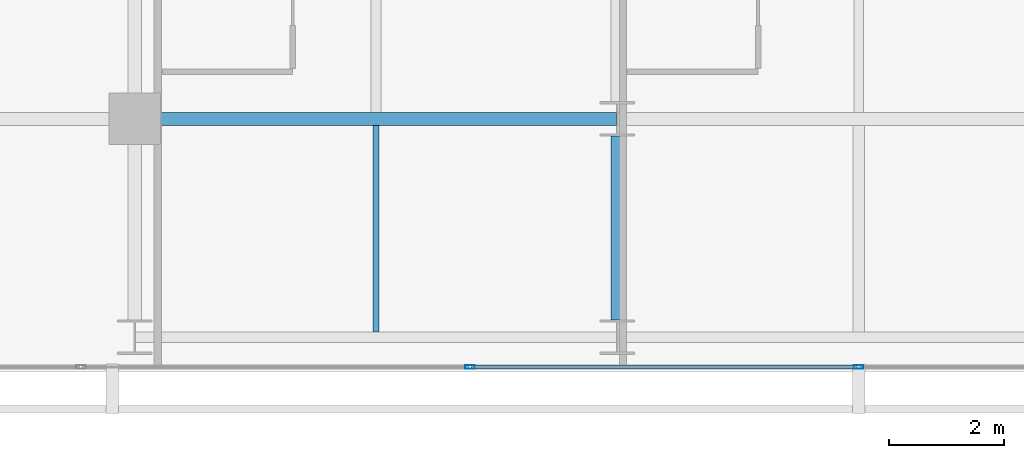
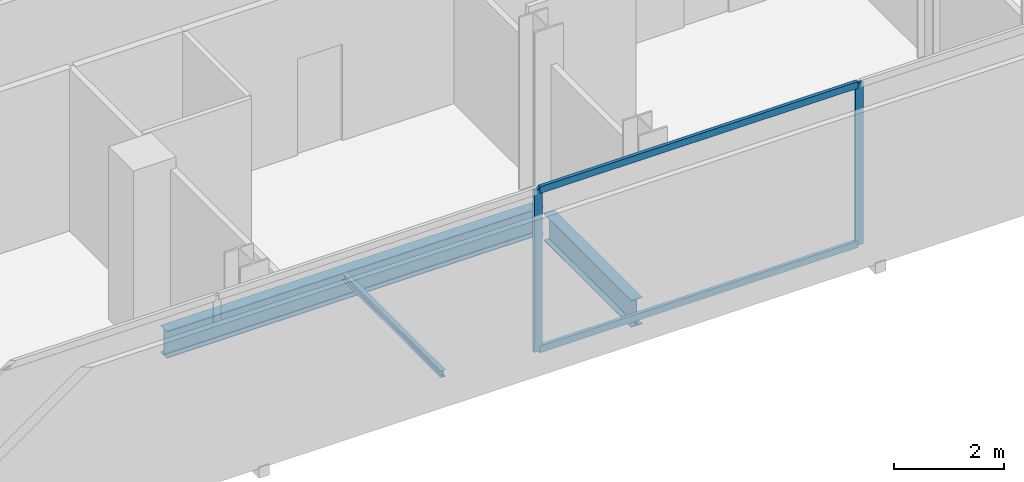
# One storey, part 6 of 34: 4 members, 3 beams, 1 element without a shape of its own.
"""IFC4 building model written with IfcOpenShell, lengths in metres."""

from ifc_helpers import new_model, si_unit, direction, frame, origin, origin_2d, place, context, subcontext, project, spatial, hollow_rectangle, i_section, extrude, material, layer, layer_set, material_profile, profile_set, type_object, element, aggregate, save


model = new_model("IFC4")

# Units and contexts
model_context = context("Model", 3, precision=1e-05, world=origin(), true_north=direction((0.0, 1.0)))
body_context = subcontext(model_context, "Body", "Model", "MODEL_VIEW")
ifc_project = project(units=[si_unit("LENGTHUNIT", "METRE"), si_unit("AREAUNIT", "SQUARE_METRE"), si_unit("VOLUMEUNIT", "CUBIC_METRE"), si_unit("PLANEANGLEUNIT", "RADIAN"), si_unit("MASSUNIT", "GRAM", prefix="KILO")], contexts=[model_context])

# Site, building, storey
site_placement = place(None, origin())
site = spatial("IfcSite", under=ifc_project, at=site_placement, CompositionType="ELEMENT")
building_placement = place(site_placement, origin())
building = spatial("IfcBuilding", under=site, at=building_placement, Name="Maruvema Waterfront Hotel and Observation Tower", CompositionType="ELEMENT")
storey_placement = place(building_placement, frame((0.0, 0.0, 181.300048828125)))
storey = spatial("IfcBuildingStorey", under=building, at=storey_placement, Name="L44", CompositionType="ELEMENT", Elevation=181.300048828125)

# Curtain wall, members
ifc_material_1 = material(Name="Anodised bronze aluminium and solar-control low-E IGU", Category="aluminium")
ifc_layer = layer(ifc_material_1, 0.159912109375, Name="Zone 2 Amber Inner Thermal Curtain Wall System CW-03")
ifc_layer_set = layer_set([ifc_layer], Name="Anodised bronze aluminium and solar-control low-E IGU")
curtain_wall_type = type_object("IfcCurtainWallType", Name="Zone 2 Amber Inner Thermal Curtain Wall System CW-03", PredefinedType="USERDEFINED", material=ifc_layer_set)
curtain_wall_placement = place(storey_placement, origin())
curtain_wall = element("IfcCurtainWall", 1, at=curtain_wall_placement, inside=storey, type_object=curtain_wall_type, Name="L44 Curtain Wall CW-L44-S", ObjectType="UNITISED CURTAIN WALL", PredefinedType="USERDEFINED")
ifc_material_2 = material(Name="Anodised architectural bronze aluminium", Category="aluminium")
ifc_material_profile_1 = material_profile(ifc_material_2, hollow_rectangle(XDim=0.070068359375, YDim=0.14990234375, WallThickness=0.00390625, at=origin_2d()), Name="ALU-T70x150")
ifc_profile_set_1 = profile_set([ifc_material_profile_1], Name="Anodised architectural bronze aluminium")
member_type_1 = type_object("IfcMemberType", Name="Curtain Wall Horizontal Transom ALU-T70x150", PredefinedType="USERDEFINED", material=ifc_profile_set_1)
member_1_placement = place(storey_placement, frame((31.063232421875, 4.679931640625, 0.030029296875), z_axis=(1.0, 0.0, 0.0), x_axis=(0.0, 1.0, 0.0)))
member_1 = element("IfcMember", 2, at=member_1_placement, type_object=member_type_1, Name="CW-03 transom 3.1", ObjectType="TRANSOM", PredefinedType="USERDEFINED", context=body_context, shape_type="SweptSolid", body=[
    extrude(hollow_rectangle(XDim=0.070068359375, YDim=0.14990234375, WallThickness=0.00390625, at=origin_2d()), origin(), (0.0, 0.0, 1.0), 6.706787109375),
])
member_2_placement = place(storey_placement, frame((31.063232421875, 4.679931640625, 3.579833984375), z_axis=(1.0, 0.0, 0.0), x_axis=(0.0, 1.0, 0.0)))
member_2 = element("IfcMember", 3, at=member_2_placement, type_object=member_type_1, Name="CW-03 transom 3.2", ObjectType="TRANSOM", PredefinedType="USERDEFINED", context=body_context, shape_type="SweptSolid", body=[
    extrude(hollow_rectangle(XDim=0.070068359375, YDim=0.14990234375, WallThickness=0.00390625, at=origin_2d()), origin(), (0.0, 0.0, 1.0), 6.706787109375),
])
ifc_material_3 = material(Name="Anodised architectural bronze aluminium", Category="aluminium")
ifc_material_profile_2 = material_profile(ifc_material_3, hollow_rectangle(XDim=0.06494140625, YDim=0.1650390625, WallThickness=0.00390625, at=origin_2d()), Name="ALU-M65x165")
ifc_profile_set_2 = profile_set([ifc_material_profile_2], Name="Anodised architectural bronze aluminium")
member_type_2 = type_object("IfcMemberType", Name="Curtain Wall Primary Mullion ALU-M65x165", PredefinedType="MULLION", material=ifc_profile_set_2)
member_3_placement = place(storey_placement, frame((31.033447265625, 4.679931640625, 0.0), z_axis=(0.0, 0.0, 1.0), x_axis=(0.0, 1.0, 0.0)))
member_3 = element("IfcMember", 4, at=member_3_placement, type_object=member_type_2, Name="CW-03 mullion 3", PredefinedType="MULLION", context=body_context, shape_type="SweptSolid", body=[
    extrude(hollow_rectangle(XDim=0.06494140625, YDim=0.1650390625, WallThickness=0.00390625, at=origin_2d()), origin(), (0.0, 0.0, 1.0), 3.60986328125),
])
member_4_placement = place(storey_placement, frame((37.800048828125, 4.679931640625, 0.0), z_axis=(0.0, 0.0, 1.0), x_axis=(0.0, 1.0, 0.0)))
member_4 = element("IfcMember", 5, at=member_4_placement, type_object=member_type_2, Name="CW-03 mullion 4", PredefinedType="MULLION", context=body_context, shape_type="SweptSolid", body=[
    extrude(hollow_rectangle(XDim=0.06494140625, YDim=0.1650390625, WallThickness=0.00390625, at=origin_2d()), origin(), (0.0, 0.0, 1.0), 3.60986328125),
])
aggregate(curtain_wall, [member_3, member_4, member_1, member_2])

# Beams
ifc_material_4 = material(Name="Steel ASTM A572 Grade 50", Category="steel")
ifc_material_profile_3 = material_profile(ifc_material_4, i_section(OverallWidth=0.22802734375, OverallDepth=0.60302734375, WebThickness=0.010498046875, FlangeThickness=0.014892578125, FilletRadius=0.01806640625, at=origin_2d()), Name="W610x101.0")
ifc_profile_set_3 = profile_set([ifc_material_profile_3], Name="Steel ASTM A572 Grade 50")
beam_type_1 = type_object("IfcBeamType", Name="Primary Floor Girder W610x101.0", PredefinedType="BEAM", material=ifc_profile_set_3)
beam_1_placement = place(storey_placement, frame((25.64990234375, 9.0, -0.54150390625), z_axis=(1.0, 0.0, 0.0), x_axis=(0.0, 1.0, 0.0)))
element("IfcBeam", 6, at=beam_1_placement, inside=storey, type_object=beam_type_1, Name="L44 Floor Girder EW-06", PredefinedType="BEAM", context=body_context, shape_type="SweptSolid", body=[
    extrude(i_section(OverallWidth=0.22802734375, OverallDepth=0.60302734375, WebThickness=0.010498046875, FlangeThickness=0.014892578125, FilletRadius=0.01806640625, at=origin_2d()), origin(), (0.0, 0.0, 1.0), 7.9375),
])
beam_2_placement = place(storey_placement, frame((33.60009765625, 5.5, -0.54150390625), z_axis=(0.0, 1.0, 0.0), x_axis=(-1.0, 0.0, 0.0)))
element("IfcBeam", 7, at=beam_2_placement, inside=storey, type_object=beam_type_1, Name="L44 Floor Girder NS-14", PredefinedType="BEAM", context=body_context, shape_type="SweptSolid", body=[
    extrude(i_section(OverallWidth=0.22802734375, OverallDepth=0.60302734375, WebThickness=0.010498046875, FlangeThickness=0.014892578125, FilletRadius=0.01806640625, at=origin_2d()), origin(), (0.0, 0.0, 1.0), 3.199951171875),
])
ifc_material_5 = material(Name="Steel ASTM A572 Grade 50", Category="steel")
ifc_material_profile_4 = material_profile(ifc_material_5, i_section(OverallWidth=0.10009765625, OverallDepth=0.153076171875, WebThickness=0.005859375, FlangeThickness=0.007080078125, FilletRadius=0.008056640625, at=origin_2d()), Name="W150x18.0")
ifc_profile_set_4 = profile_set([ifc_material_profile_4], Name="Steel ASTM A572 Grade 50")
beam_type_2 = type_object("IfcBeamType", Name="Secondary Floor Joist W150x18.0", PredefinedType="JOIST", material=ifc_profile_set_4)
beam_3_placement = place(storey_placement, frame((29.39990234375, 5.29052734375, -0.316650390625), z_axis=(0.0, 1.0, 0.0), x_axis=(-1.0, 0.0, 0.0)))
element("IfcBeam", 8, at=beam_3_placement, inside=storey, type_object=beam_type_2, Name="L44 Secondary Floor Joist JS-05", PredefinedType="JOIST", context=body_context, shape_type="SweptSolid", body=[
    extrude(i_section(OverallWidth=0.10009765625, OverallDepth=0.153076171875, WebThickness=0.005859375, FlangeThickness=0.007080078125, FilletRadius=0.008056640625, at=origin_2d()), origin(), (0.0, 0.0, 1.0), 3.595458984375),
])

save(model, "model.ifc")
